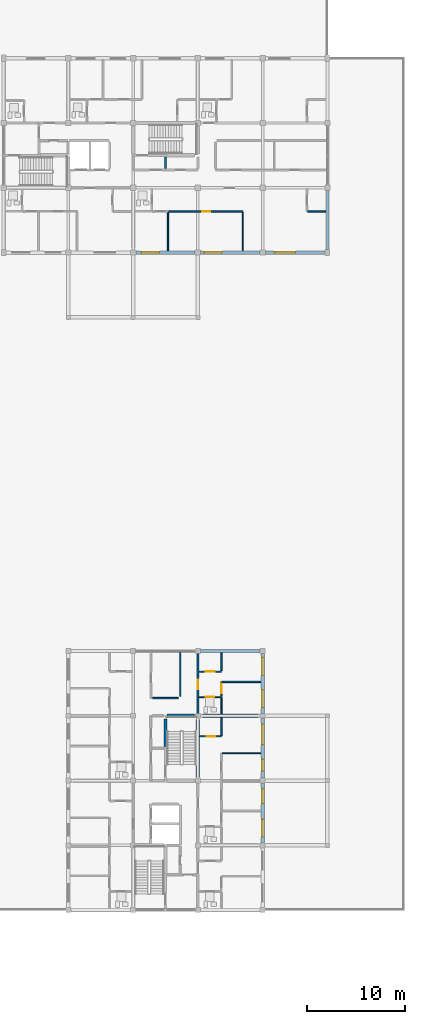
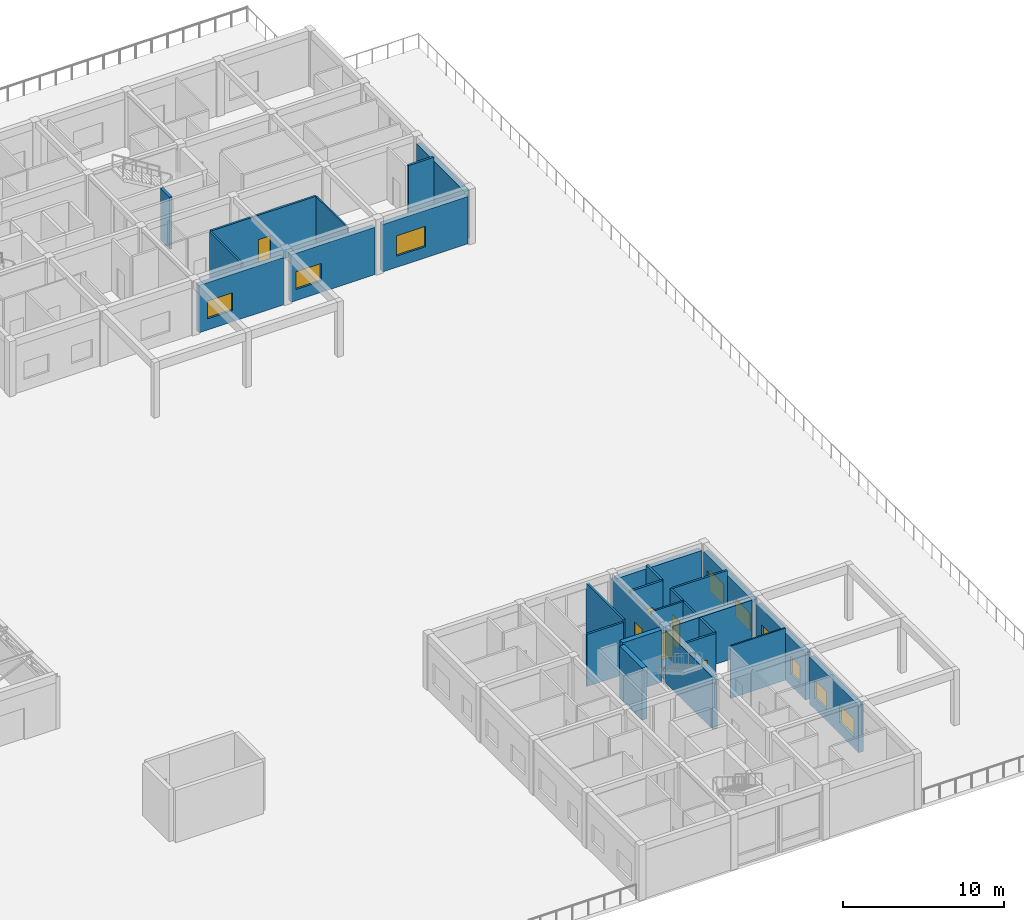
# One storey, part 78 of 92: 29 walls, 9 windows, 6 doors, 15 openings.
"""IFC4 building model written with IfcOpenShell, lengths in metres."""

from ifc_helpers import new_model, si_unit, direction, frame, frame_2d, origin, place, context, subcontext, project, spatial, rectangle, extrude, material, layer, layer_set, type_object, element, fill, save


model = new_model("IFC4")

# Units and contexts
model_context = context("Model", 3, precision=1e-05, world=origin(), true_north=direction((0.0, 1.0)))
body_context = subcontext(model_context, "Body", "Model", "MODEL_VIEW")
ifc_project = project(units=[si_unit("LENGTHUNIT", "METRE"), si_unit("AREAUNIT", "SQUARE_METRE"), si_unit("VOLUMEUNIT", "CUBIC_METRE"), si_unit("PLANEANGLEUNIT", "RADIAN"), si_unit("MASSUNIT", "GRAM", prefix="KILO")], contexts=[model_context])

# Site, building, storey
site_placement = place(None, origin())
site = spatial("IfcSite", under=ifc_project, at=site_placement, CompositionType="ELEMENT")
building_placement = place(site_placement, origin())
building = spatial("IfcBuilding", under=site, at=building_placement, Name="Kernevlak Ridge Housing Community", CompositionType="ELEMENT")
storey_placement = place(building_placement, frame((0.0, 0.0, 4.199951171875)))
storey = spatial("IfcBuildingStorey", under=building, at=storey_placement, Name="L01", CompositionType="ELEMENT", Elevation=4.199951171875)

# Wall, opening, window
ifc_material_1 = material(Name="Concrete block masonry M10", Category="masonry")
ifc_layer_1 = layer(ifc_material_1, 0.340087890625, Name="Concrete block masonry M10")
ifc_layer_set_1 = layer_set([ifc_layer_1], Name="Concrete block masonry M10")
wall_type_1 = type_object("IfcWallType", Name="EW-04", PredefinedType="STANDARD", material=ifc_layer_set_1)
wall_1_placement = place(storey_placement, frame((132.875, 82.60009765625, 0.0), z_axis=(0.0, 0.0, 1.0), x_axis=(1.0, 0.0, 0.0)))
wall_1 = element("IfcWall", 1, at=wall_1_placement, inside=storey, type_object=wall_type_1, Name="Exterior wall EW-04 L01 311", PredefinedType="STANDARD", context=body_context, shape_type="SweptSolid", body=[
    extrude(rectangle(XDim=6.050048828125, YDim=0.340087890625, at=frame_2d((3.02490234375, 0.0))), origin(), (0.0, 0.0, 1.0), 3.60009765625),
])
opening_1_placement = place(wall_1_placement, frame((0.60009765625, 0.0, 0.85009765625)))
opening_1 = element("IfcOpeningElement", 2, at=opening_1_placement, cuts=wall_1, Name="Opening WT-03", PredefinedType="OPENING", context=body_context, shape_type="SweptSolid", body=[
    extrude(rectangle(XDim=1.800048828125, YDim=1.35009765625, at=frame_2d((0.89990234375, 0.675048828125))), frame((0.0, 0.179931640625, 0.0), z_axis=(0.0, -1.0, 0.0), x_axis=(1.0, 0.0, 0.0)), (0.0, 0.0, 1.0), 0.360107421875),
])
ifc_material_2 = material(Name="Aluminium EN AW-6060 anodised and laminated glass", Category="aluminium")
window_type_1 = type_object("IfcWindowType", Name="WT-03", PartitioningType="SINGLE_PANEL", PredefinedType="WINDOW", material=ifc_material_2)
window_1_placement = place(opening_1_placement, origin())
window_1 = element("IfcWindow", 3, at=window_1_placement, inside=storey, type_object=window_type_1, Name="Window WT-03 L01 239", OverallHeight=1.35009765625, OverallWidth=1.800048828125, PartitioningType="SINGLE_PANEL", PredefinedType="WINDOW", context=body_context, shape_type="SweptSolid", body=[
    extrude(rectangle(XDim=1.800048828125, YDim=1.35009765625, at=frame_2d((0.89990234375, 0.675048828125))), frame((0.0, 0.030029296875, 0.0), z_axis=(0.0, -1.0, 0.0), x_axis=(1.0, 0.0, 0.0)), (0.0, 0.0, 1.0), 0.06005859375),
])
fill(opening_1, window_1)

wall_2_placement = place(storey_placement, frame((139.47509765625, 82.60009765625, 0.0), z_axis=(0.0, 0.0, 1.0), x_axis=(1.0, 0.0, 0.0)))
wall_2 = element("IfcWall", 4, at=wall_2_placement, inside=storey, type_object=wall_type_1, Name="Exterior wall EW-04 L01 312", PredefinedType="STANDARD", context=body_context, shape_type="SweptSolid", body=[
    extrude(rectangle(XDim=6.0498046875, YDim=0.340087890625, at=frame_2d((3.02490234375, 0.0))), origin(), (0.0, 0.0, 1.0), 3.60009765625),
])
opening_2_placement = place(wall_2_placement, frame((0.375, 0.0, 0.85009765625)))
opening_2 = element("IfcOpeningElement", 5, at=opening_2_placement, cuts=wall_2, Name="Opening WT-03", PredefinedType="OPENING", context=body_context, shape_type="SweptSolid", body=[
    extrude(rectangle(XDim=1.800048828125, YDim=1.35009765625, at=frame_2d((0.89990234375, 0.675048828125))), frame((0.0, 0.179931640625, 0.0), z_axis=(0.0, -1.0, 0.0), x_axis=(1.0, 0.0, 0.0)), (0.0, 0.0, 1.0), 0.360107421875),
])
window_2_placement = place(opening_2_placement, origin())
window_2 = element("IfcWindow", 6, at=window_2_placement, inside=storey, type_object=window_type_1, Name="Window WT-03 L01 240", OverallHeight=1.35009765625, OverallWidth=1.800048828125, PartitioningType="SINGLE_PANEL", PredefinedType="WINDOW", context=body_context, shape_type="SweptSolid", body=[
    extrude(rectangle(XDim=1.800048828125, YDim=1.35009765625, at=frame_2d((0.89990234375, 0.675048828125))), frame((0.0, 0.030029296875, 0.0), z_axis=(0.0, -1.0, 0.0), x_axis=(1.0, 0.0, 0.0)), (0.0, 0.0, 1.0), 0.06005859375),
])
fill(opening_2, window_2)

wall_3_placement = place(storey_placement, frame((146.074951171875, 82.60009765625, 0.0), z_axis=(0.0, 0.0, 1.0), x_axis=(1.0, 0.0, 0.0)))
wall_3 = element("IfcWall", 7, at=wall_3_placement, inside=storey, type_object=wall_type_1, Name="Exterior wall EW-04 L01 313", PredefinedType="STANDARD", context=body_context, shape_type="SweptSolid", body=[
    extrude(rectangle(XDim=6.10009765625, YDim=0.340087890625, at=frame_2d((3.050048828125, 0.0))), origin(), (0.0, 0.0, 1.0), 3.60009765625),
])
opening_3_placement = place(wall_3_placement, frame((0.968994140625, 0.0, 0.85009765625)))
opening_3 = element("IfcOpeningElement", 8, at=opening_3_placement, cuts=wall_3, Name="Opening WT-05", PredefinedType="OPENING", context=body_context, shape_type="SweptSolid", body=[
    extrude(rectangle(XDim=2.10009765625, YDim=1.550048828125, at=frame_2d((1.050048828125, 0.77490234375))), frame((0.0, 0.179931640625, 0.0), z_axis=(0.0, -1.0, 0.0), x_axis=(1.0, 0.0, 0.0)), (0.0, 0.0, 1.0), 0.360107421875),
])
window_type_2 = type_object("IfcWindowType", Name="WT-05", PartitioningType="SINGLE_PANEL", PredefinedType="WINDOW", material=ifc_material_2)
window_3_placement = place(opening_3_placement, origin())
window_3 = element("IfcWindow", 9, at=window_3_placement, inside=storey, type_object=window_type_2, Name="Window WT-05 L01 241", OverallHeight=1.550048828125, OverallWidth=2.10009765625, PartitioningType="SINGLE_PANEL", PredefinedType="WINDOW", context=body_context, shape_type="SweptSolid", body=[
    extrude(rectangle(XDim=2.10009765625, YDim=1.550048828125, at=frame_2d((1.050048828125, 0.77490234375))), frame((0.0, 0.030029296875, 0.0), z_axis=(0.0, -1.0, 0.0), x_axis=(1.0, 0.0, 0.0)), (0.0, 0.0, 1.0), 0.06005859375),
])
fill(opening_3, window_3)

# Wall
wall_4_placement = place(storey_placement, frame((152.39990234375, 82.925048828125, 0.0), z_axis=(0.0, 0.0, 1.0), x_axis=(0.0, 1.0, 0.0)))
element("IfcWall", 10, at=wall_4_placement, inside=storey, type_object=wall_type_1, Name="Exterior wall EW-04 L01 321", PredefinedType="STANDARD", context=body_context, shape_type="SweptSolid", body=[
    extrude(rectangle(XDim=6.0, YDim=0.340087890625, at=frame_2d((3.0, 0.0))), origin(), (0.0, 0.0, 1.0), 3.650146484375),
])

# Wall, openings, windows
wall_5_placement = place(storey_placement, frame((145.800048828125, 22.449951171875, 0.0), z_axis=(0.0, 0.0, 1.0), x_axis=(0.0, 1.0, 0.0)))
wall_5 = element("IfcWall", 11, at=wall_5_placement, inside=storey, type_object=wall_type_1, Name="Exterior wall EW-04 L01 551", PredefinedType="STANDARD", context=body_context, shape_type="SweptSolid", body=[
    extrude(rectangle(XDim=6.10009765625, YDim=0.340087890625, at=frame_2d((3.050048828125, 0.0))), origin(), (0.0, 0.0, 1.0), 3.60009765625),
])
opening_4_placement = place(wall_5_placement, frame((0.60009765625, 0.0, 0.85009765625)))
opening_4 = element("IfcOpeningElement", 12, at=opening_4_placement, cuts=wall_5, Name="Opening WT-03", PredefinedType="OPENING", context=body_context, shape_type="SweptSolid", body=[
    extrude(rectangle(XDim=1.800048828125, YDim=1.35009765625, at=frame_2d((0.89990234375, 0.675048828125))), frame((0.0, 0.179931640625, 0.0), z_axis=(0.0, -1.0, 0.0), x_axis=(1.0, 0.0, 0.0)), (0.0, 0.0, 1.0), 0.360107421875),
])
opening_5_placement = place(wall_5_placement, frame((4.0, 0.0, 0.85009765625)))
opening_5 = element("IfcOpeningElement", 13, at=opening_5_placement, cuts=wall_5, Name="Opening WT-02", PredefinedType="OPENING", context=body_context, shape_type="SweptSolid", body=[
    extrude(rectangle(XDim=1.5, YDim=1.35009765625, at=frame_2d((0.75, 0.675048828125))), frame((0.0, 0.179931640625, 0.0), z_axis=(0.0, -1.0, 0.0), x_axis=(1.0, 0.0, 0.0)), (0.0, 0.0, 1.0), 0.360107421875),
])
window_type_3 = type_object("IfcWindowType", Name="WT-02", PartitioningType="SINGLE_PANEL", PredefinedType="WINDOW", material=ifc_material_2)
window_4_placement = place(opening_5_placement, origin())
window_4 = element("IfcWindow", 14, at=window_4_placement, inside=storey, type_object=window_type_3, Name="Window WT-02 L01 438", OverallHeight=1.35009765625, OverallWidth=1.5, PartitioningType="SINGLE_PANEL", PredefinedType="WINDOW", context=body_context, shape_type="SweptSolid", body=[
    extrude(rectangle(XDim=1.5, YDim=1.35009765625, at=frame_2d((0.75, 0.675048828125))), frame((0.0, 0.030029296875, 0.0), z_axis=(0.0, -1.0, 0.0), x_axis=(1.0, 0.0, 0.0)), (0.0, 0.0, 1.0), 0.06005859375),
])
fill(opening_5, window_4)
window_5_placement = place(opening_4_placement, origin())
window_5 = element("IfcWindow", 15, at=window_5_placement, inside=storey, type_object=window_type_1, Name="Window WT-03 L01 437", OverallHeight=1.35009765625, OverallWidth=1.800048828125, PartitioningType="SINGLE_PANEL", PredefinedType="WINDOW", context=body_context, shape_type="SweptSolid", body=[
    extrude(rectangle(XDim=1.800048828125, YDim=1.35009765625, at=frame_2d((0.89990234375, 0.675048828125))), frame((0.0, 0.030029296875, 0.0), z_axis=(0.0, -1.0, 0.0), x_axis=(1.0, 0.0, 0.0)), (0.0, 0.0, 1.0), 0.06005859375),
])
fill(opening_4, window_5)

wall_6_placement = place(storey_placement, frame((145.800048828125, 29.050048828125, 0.0), z_axis=(0.0, 0.0, 1.0), x_axis=(0.0, 1.0, 0.0)))
wall_6 = element("IfcWall", 16, at=wall_6_placement, inside=storey, type_object=wall_type_1, Name="Exterior wall EW-04 L01 552", PredefinedType="STANDARD", context=body_context, shape_type="SweptSolid", body=[
    extrude(rectangle(XDim=6.099853515625, YDim=0.340087890625, at=frame_2d((3.0498046875, 0.0))), origin(), (0.0, 0.0, 1.0), 3.60009765625),
])
opening_6_placement = place(wall_6_placement, frame((0.699951171875, 0.0, 0.85009765625)))
opening_6 = element("IfcOpeningElement", 17, at=opening_6_placement, cuts=wall_6, Name="Opening WT-01", PredefinedType="OPENING", context=body_context, shape_type="SweptSolid", body=[
    extrude(rectangle(XDim=1.199951171875, YDim=1.35009765625, at=frame_2d((0.60009765625, 0.675048828125))), frame((0.0, 0.179931640625, 0.0), z_axis=(0.0, -1.0, 0.0), x_axis=(1.0, 0.0, 0.0)), (0.0, 0.0, 1.0), 0.360107421875),
])
opening_7_placement = place(wall_6_placement, frame((3.39990234375, 0.0, 0.85009765625)))
opening_7 = element("IfcOpeningElement", 18, at=opening_7_placement, cuts=wall_6, Name="Opening WT-05", PredefinedType="OPENING", context=body_context, shape_type="SweptSolid", body=[
    extrude(rectangle(XDim=2.10009765625, YDim=1.550048828125, at=frame_2d((1.050048828125, 0.77490234375))), frame((0.0, 0.179931640625, 0.0), z_axis=(0.0, -1.0, 0.0), x_axis=(1.0, 0.0, 0.0)), (0.0, 0.0, 1.0), 0.360107421875),
])
window_type_4 = type_object("IfcWindowType", Name="WT-01", PartitioningType="SINGLE_PANEL", PredefinedType="WINDOW", material=ifc_material_2)
window_6_placement = place(opening_6_placement, origin())
window_6 = element("IfcWindow", 19, at=window_6_placement, inside=storey, type_object=window_type_4, Name="Window WT-01 L01 439", OverallHeight=1.35009765625, OverallWidth=1.199951171875, PartitioningType="SINGLE_PANEL", PredefinedType="WINDOW", context=body_context, shape_type="SweptSolid", body=[
    extrude(rectangle(XDim=1.199951171875, YDim=1.35009765625, at=frame_2d((0.60009765625, 0.675048828125))), frame((0.0, 0.030029296875, 0.0), z_axis=(0.0, -1.0, 0.0), x_axis=(1.0, 0.0, 0.0)), (0.0, 0.0, 1.0), 0.06005859375),
])
fill(opening_6, window_6)
window_7_placement = place(opening_7_placement, origin())
window_7 = element("IfcWindow", 20, at=window_7_placement, inside=storey, type_object=window_type_2, Name="Window WT-05 L01 440", OverallHeight=1.550048828125, OverallWidth=2.10009765625, PartitioningType="SINGLE_PANEL", PredefinedType="WINDOW", context=body_context, shape_type="SweptSolid", body=[
    extrude(rectangle(XDim=2.10009765625, YDim=1.550048828125, at=frame_2d((1.050048828125, 0.77490234375))), frame((0.0, 0.030029296875, 0.0), z_axis=(0.0, -1.0, 0.0), x_axis=(1.0, 0.0, 0.0)), (0.0, 0.0, 1.0), 0.06005859375),
])
fill(opening_7, window_7)

wall_7_placement = place(storey_placement, frame((145.800048828125, 35.64990234375, 0.0), z_axis=(0.0, 0.0, 1.0), x_axis=(0.0, 1.0, 0.0)))
wall_7 = element("IfcWall", 21, at=wall_7_placement, inside=storey, type_object=wall_type_1, Name="Exterior wall EW-04 L01 553", PredefinedType="STANDARD", context=body_context, shape_type="SweptSolid", body=[
    extrude(rectangle(XDim=6.10009765625, YDim=0.340087890625, at=frame_2d((3.050048828125, 0.0))), origin(), (0.0, 0.0, 1.0), 3.60009765625),
])
opening_8_placement = place(wall_7_placement, frame((0.574951171875, 0.0, 0.85009765625)))
opening_8 = element("IfcOpeningElement", 22, at=opening_8_placement, cuts=wall_7, Name="Opening WT-03", PredefinedType="OPENING", context=body_context, shape_type="SweptSolid", body=[
    extrude(rectangle(XDim=1.800048828125, YDim=1.35009765625, at=frame_2d((0.89990234375, 0.675048828125))), frame((0.0, 0.179931640625, 0.0), z_axis=(0.0, -1.0, 0.0), x_axis=(1.0, 0.0, 0.0)), (0.0, 0.0, 1.0), 0.360107421875),
])
opening_9_placement = place(wall_7_placement, frame((3.875, 0.0, 0.85009765625)))
opening_9 = element("IfcOpeningElement", 23, at=opening_9_placement, cuts=wall_7, Name="Opening WT-04", PredefinedType="OPENING", context=body_context, shape_type="SweptSolid", body=[
    extrude(rectangle(XDim=1.800048828125, YDim=1.550048828125, at=frame_2d((0.89990234375, 0.77490234375))), frame((0.0, 0.179931640625, 0.0), z_axis=(0.0, -1.0, 0.0), x_axis=(1.0, 0.0, 0.0)), (0.0, 0.0, 1.0), 0.360107421875),
])
window_8_placement = place(opening_8_placement, origin())
window_8 = element("IfcWindow", 24, at=window_8_placement, inside=storey, type_object=window_type_1, Name="Window WT-03 L01 441", OverallHeight=1.35009765625, OverallWidth=1.800048828125, PartitioningType="SINGLE_PANEL", PredefinedType="WINDOW", context=body_context, shape_type="SweptSolid", body=[
    extrude(rectangle(XDim=1.800048828125, YDim=1.35009765625, at=frame_2d((0.89990234375, 0.675048828125))), frame((0.0, 0.030029296875, 0.0), z_axis=(0.0, -1.0, 0.0), x_axis=(1.0, 0.0, 0.0)), (0.0, 0.0, 1.0), 0.06005859375),
])
fill(opening_8, window_8)
window_type_5 = type_object("IfcWindowType", Name="WT-04", PartitioningType="SINGLE_PANEL", PredefinedType="WINDOW", material=ifc_material_2)
window_9_placement = place(opening_9_placement, origin())
window_9 = element("IfcWindow", 25, at=window_9_placement, inside=storey, type_object=window_type_5, Name="Window WT-04 L01 442", OverallHeight=1.550048828125, OverallWidth=1.800048828125, PartitioningType="SINGLE_PANEL", PredefinedType="WINDOW", context=body_context, shape_type="SweptSolid", body=[
    extrude(rectangle(XDim=1.800048828125, YDim=1.550048828125, at=frame_2d((0.89990234375, 0.77490234375))), frame((0.0, 0.030029296875, 0.0), z_axis=(0.0, -1.0, 0.0), x_axis=(1.0, 0.0, 0.0)), (0.0, 0.0, 1.0), 0.06005859375),
])
fill(opening_9, window_9)

# Walls
wall_8_placement = place(storey_placement, frame((139.449951171875, 42.0, 0.0), z_axis=(0.0, 0.0, 1.0), x_axis=(1.0, 0.0, 0.0)))
element("IfcWall", 26, at=wall_8_placement, inside=storey, type_object=wall_type_1, Name="Exterior wall EW-04 L01 557", PredefinedType="STANDARD", context=body_context, shape_type="SweptSolid", body=[
    extrude(rectangle(XDim=6.10009765625, YDim=0.340087890625, at=frame_2d((3.050048828125, 0.0))), origin(), (0.0, 0.0, 1.0), 3.650146484375),
])
ifc_layer_2 = layer(ifc_material_1, 0.175048828125, Name="Concrete block masonry M10")
ifc_layer_set_2 = layer_set([ifc_layer_2], Name="Concrete block masonry M10")
wall_type_2 = type_object("IfcWallType", Name="PW-02", PredefinedType="PARTITIONING", material=ifc_layer_set_2)
wall_9_placement = place(storey_placement, frame((135.89990234375, 91.179931640625, 0.0), z_axis=(0.0, 0.0, 1.0), x_axis=(0.0, 1.0, 0.0)))
element("IfcWall", 27, at=wall_9_placement, inside=storey, type_object=wall_type_2, Name="Interior wall PW-02 WAL-INT-L01-1222", PredefinedType="PARTITIONING", context=body_context, shape_type="SweptSolid", body=[
    extrude(rectangle(XDim=1.14013671875, YDim=0.175048828125, at=frame_2d((0.570068359375, 0.0))), origin(), (0.0, 0.0, 1.0), 3.9599609375),
])

# Wall, opening, door
wall_10_placement = place(storey_placement, frame((139.199951171875, 35.39990234375, 0.0), z_axis=(0.0, 0.0, 1.0), x_axis=(0.0, 1.0, 0.0)))
wall_10 = element("IfcWall", 28, at=wall_10_placement, inside=storey, type_object=wall_type_2, Name="Interior wall PW-02 WAL-INT-L01-2222", PredefinedType="PARTITIONING", context=body_context, shape_type="SweptSolid", body=[
    extrude(rectangle(XDim=6.60009765625, YDim=0.175048828125, at=frame_2d((3.300048828125, 0.0))), origin(), (0.0, 0.0, 1.0), 3.699951171875),
])
opening_10_placement = place(wall_10_placement, frame((2.72509765625, 0.0, 0.0)))
opening_10 = element("IfcOpeningElement", 29, at=opening_10_placement, cuts=wall_10, Name="Opening E126", PredefinedType="OPENING", context=body_context, shape_type="SweptSolid", body=[
    extrude(rectangle(XDim=0.9599609375, YDim=2.179931640625, at=frame_2d((0.47998046875, 1.08984375))), frame((0.0, 0.097412109375, 0.0), z_axis=(0.0, -1.0, 0.0), x_axis=(1.0, 0.0, 0.0)), (0.0, 0.0, 1.0), 0.195068359375),
])
ifc_material_3 = material(Name="Hardwood timber solid-core fire leaf", Category="wood")
door_type_1 = type_object("IfcDoorType", Name="DT-29", OperationType="NOTDEFINED", PredefinedType="DOOR", material=ifc_material_3)
door_1_placement = place(opening_10_placement, origin())
door_1 = element("IfcDoor", 30, at=door_1_placement, inside=storey, type_object=door_type_1, Name="Flat C0123 entrance fire door E126", OperationType="SINGLE_SWING_LEFT", OverallHeight=2.179931640625, OverallWidth=0.9599609375, PredefinedType="DOOR", context=body_context, shape_type="SweptSolid", body=[
    extrude(rectangle(XDim=0.9599609375, YDim=2.179931640625, at=frame_2d((0.47998046875, 1.08984375))), frame((0.0, 0.02490234375, 0.0), z_axis=(0.0, -1.0, 0.0), x_axis=(1.0, 0.0, 0.0)), (0.0, 0.0, 1.0), 0.050048828125),
])
fill(opening_10, door_1)

# Wall
ifc_layer_3 = layer(ifc_material_1, 0.14501953125, Name="Concrete block masonry M10")
ifc_layer_set_3 = layer_set([ifc_layer_3], Name="Concrete block masonry M10")
wall_type_3 = type_object("IfcWallType", Name="PW-03", PredefinedType="PARTITIONING", material=ifc_layer_set_3)
wall_11_placement = place(storey_placement, frame((136.14990234375, 86.717529296875, 0.0), z_axis=(0.0, 0.0, 1.0), x_axis=(0.0, -1.0, 0.0)))
element("IfcWall", 31, at=wall_11_placement, inside=storey, type_object=wall_type_3, Name="Interior wall PW-03 WAL-INT-L01-1244", PredefinedType="PARTITIONING", context=body_context, shape_type="SweptSolid", body=[
    extrude(rectangle(XDim=3.9375, YDim=0.14501953125, at=frame_2d((1.96875, 0.0))), origin(), (0.0, 0.0, 1.0), 3.9599609375),
])

# Wall, opening, door
wall_12_placement = place(storey_placement, frame((136.232421875, 86.800048828125, 0.0), z_axis=(0.0, 0.0, 1.0), x_axis=(1.0, 0.0, 0.0)))
wall_12 = element("IfcWall", 32, at=wall_12_placement, inside=storey, type_object=wall_type_3, Name="Interior wall PW-03 WAL-INT-L01-1245", PredefinedType="PARTITIONING", context=body_context, shape_type="SweptSolid", body=[
    extrude(rectangle(XDim=7.5556640625, YDim=0.14501953125, at=frame_2d((3.77783203125, 0.0))), origin(), (0.0, 0.0, 1.0), 3.9599609375),
])
opening_11_placement = place(wall_12_placement, frame((3.39404296875, 0.0, 0.0)))
opening_11 = element("IfcOpeningElement", 33, at=opening_11_placement, cuts=wall_12, Name="Opening D629", PredefinedType="OPENING", context=body_context, shape_type="SweptSolid", body=[
    extrude(rectangle(XDim=0.85009765625, YDim=2.10009765625, at=frame_2d((0.425048828125, 1.050048828125))), frame((0.0, 0.08251953125, 0.0), z_axis=(0.0, -1.0, 0.0), x_axis=(1.0, 0.0, 0.0)), (0.0, 0.0, 1.0), 0.1650390625),
])
ifc_material_4 = material(Name="Hardwood timber leaf", Category="wood")
door_type_2 = type_object("IfcDoorType", Name="DT-03", OperationType="NOTDEFINED", PredefinedType="DOOR", material=ifc_material_4)
door_2_placement = place(opening_11_placement, origin())
door_2 = element("IfcDoor", 34, at=door_2_placement, inside=storey, type_object=door_type_2, Name="Flat B0112 bedroom door D629", OperationType="SINGLE_SWING_LEFT", OverallHeight=2.10009765625, OverallWidth=0.85009765625, PredefinedType="DOOR", context=body_context, shape_type="SweptSolid", body=[
    extrude(rectangle(XDim=0.85009765625, YDim=2.10009765625, at=frame_2d((0.425048828125, 1.050048828125))), frame((0.0, 0.02490234375, 0.0), z_axis=(0.0, -1.0, 0.0), x_axis=(1.0, 0.0, 0.0)), (0.0, 0.0, 1.0), 0.050048828125),
])
fill(opening_11, door_2)

# Walls
wall_13_placement = place(storey_placement, frame((137.39990234375, 37.3798828125, 0.0), z_axis=(0.0, 0.0, 1.0), x_axis=(0.0, 1.0, 0.0)))
element("IfcWall", 35, at=wall_13_placement, inside=storey, type_object=wall_type_3, Name="Interior wall PW-03 WAL-INT-L01-2179", PredefinedType="PARTITIONING", context=body_context, shape_type="SweptSolid", body=[
    extrude(rectangle(XDim=4.60009765625, YDim=0.14501953125, at=frame_2d((2.300048828125, 0.0))), origin(), (0.0, 0.0, 1.0), 3.9599609375),
])
wall_14_placement = place(storey_placement, frame((134.580078125, 37.199951171875, 0.0), z_axis=(0.0, 0.0, 1.0), x_axis=(1.0, 0.0, 0.0)))
element("IfcWall", 36, at=wall_14_placement, inside=storey, type_object=wall_type_3, Name="Interior wall PW-03 WAL-INT-L01-2180", PredefinedType="PARTITIONING", context=body_context, shape_type="SweptSolid", body=[
    extrude(rectangle(XDim=2.639892578125, YDim=0.14501953125, at=frame_2d((1.31982421875, 0.0))), origin(), (0.0, 0.0, 1.0), 3.9599609375),
])

# Wall, opening, door
wall_15_placement = place(storey_placement, frame((141.60009765625, 37.37255859375, 0.0), z_axis=(0.0, 0.0, 1.0), x_axis=(0.0, 1.0, 0.0)))
wall_15 = element("IfcWall", 37, at=wall_15_placement, inside=storey, type_object=wall_type_3, Name="Interior wall PW-03 WAL-INT-L01-2227", PredefinedType="PARTITIONING", context=body_context, shape_type="SweptSolid", body=[
    extrude(rectangle(XDim=1.4775390625, YDim=0.14501953125, at=frame_2d((0.73876953125, 0.0))), origin(), (0.0, 0.0, 1.0), 3.9599609375),
])
opening_12_placement = place(wall_15_placement, frame((0.327392578125, 0.0, 0.0)))
opening_12 = element("IfcOpeningElement", 38, at=opening_12_placement, cuts=wall_15, Name="Opening E129", PredefinedType="OPENING", context=body_context, shape_type="SweptSolid", body=[
    extrude(rectangle(XDim=0.97998046875, YDim=2.1201171875, at=frame_2d((0.489990234375, 1.06005859375))), frame((0.0, 0.08251953125, 0.0), z_axis=(0.0, -1.0, 0.0), x_axis=(1.0, 0.0, 0.0)), (0.0, 0.0, 1.0), 0.1650390625),
])
door_type_3 = type_object("IfcDoorType", Name="DT-24", OperationType="NOTDEFINED", PredefinedType="DOOR", material=ifc_material_4)
door_3_placement = place(opening_12_placement, origin())
door_3 = element("IfcDoor", 39, at=door_3_placement, inside=storey, type_object=door_type_3, Name="Flat C0123 bedroom door E129", OperationType="SINGLE_SWING_RIGHT", OverallHeight=2.1201171875, OverallWidth=0.97998046875, PredefinedType="DOOR", context=body_context, shape_type="SweptSolid", body=[
    extrude(rectangle(XDim=0.97998046875, YDim=2.1201171875, at=frame_2d((0.489990234375, 1.06005859375))), frame((0.0, 0.02490234375, 0.0), z_axis=(0.0, -1.0, 0.0), x_axis=(1.0, 0.0, 0.0)), (0.0, 0.0, 1.0), 0.050048828125),
])
fill(opening_12, door_3)

# Wall
wall_16_placement = place(storey_placement, frame((141.6826171875, 38.85009765625, 0.0), z_axis=(0.0, 0.0, 1.0), x_axis=(1.0, 0.0, 0.0)))
element("IfcWall", 40, at=wall_16_placement, inside=storey, type_object=wall_type_3, Name="Interior wall PW-03 WAL-INT-L01-2228", PredefinedType="PARTITIONING", context=body_context, shape_type="SweptSolid", body=[
    extrude(rectangle(XDim=3.9375, YDim=0.14501953125, at=frame_2d((1.96875, 0.0))), origin(), (0.0, 0.0, 1.0), 3.9599609375),
])

# Wall, opening, door
ifc_material_5 = material(Name="Gypsum plasterboard EN 520", Category="gypsum")
ifc_layer_4 = layer(ifc_material_5, 0.125, Name="Gypsum plasterboard EN 520")
ifc_layer_set_4 = layer_set([ifc_layer_4], Name="Gypsum plasterboard EN 520")
wall_type_4 = type_object("IfcWallType", Name="PW-04", PredefinedType="PARTITIONING", material=ifc_layer_set_4)
wall_17_placement = place(storey_placement, frame((139.297607421875, 37.300048828125, 0.0), z_axis=(0.0, 0.0, 1.0), x_axis=(1.0, 0.0, 0.0)))
wall_17 = element("IfcWall", 41, at=wall_17_placement, inside=storey, type_object=wall_type_4, Name="Interior wall PW-04 WAL-INT-L01-2223", PredefinedType="PARTITIONING", context=body_context, shape_type="SweptSolid", body=[
    extrude(rectangle(XDim=2.302490234375, YDim=0.125, at=frame_2d((1.1513671875, 0.0))), origin(), (0.0, 0.0, 1.0), 3.9599609375),
])
opening_13_placement = place(wall_17_placement, frame((0.699951171875, 0.0, 0.0)))
opening_13 = element("IfcOpeningElement", 42, at=opening_13_placement, cuts=wall_17, Name="Opening E127", PredefinedType="OPENING", context=body_context, shape_type="SweptSolid", body=[
    extrude(rectangle(XDim=0.85009765625, YDim=2.0400390625, at=frame_2d((0.425048828125, 1.02001953125))), frame((0.0, 0.072509765625, 0.0), z_axis=(0.0, -1.0, 0.0), x_axis=(1.0, 0.0, 0.0)), (0.0, 0.0, 1.0), 0.14501953125),
])
ifc_material_6 = material(Name="Hardwood timber moisture-resistant leaf", Category="wood")
door_type_4 = type_object("IfcDoorType", Name="DT-04", OperationType="NOTDEFINED", PredefinedType="DOOR", material=ifc_material_6)
door_4_placement = place(opening_13_placement, origin())
door_4 = element("IfcDoor", 43, at=door_4_placement, inside=storey, type_object=door_type_4, Name="Flat C0123 bathroom door E127", OperationType="SINGLE_SWING_RIGHT", OverallHeight=2.0400390625, OverallWidth=0.85009765625, PredefinedType="DOOR", context=body_context, shape_type="SweptSolid", body=[
    extrude(rectangle(XDim=0.85009765625, YDim=2.0400390625, at=frame_2d((0.425048828125, 1.02001953125))), frame((0.0, 0.02490234375, 0.0), z_axis=(0.0, -1.0, 0.0), x_axis=(1.0, 0.0, 0.0)), (0.0, 0.0, 1.0), 0.050048828125),
])
fill(opening_13, door_4)

# Walls
wall_18_placement = place(storey_placement, frame((141.60009765625, 35.5849609375, 0.0), z_axis=(0.0, 0.0, 1.0), x_axis=(0.0, 1.0, 0.0)))
element("IfcWall", 44, at=wall_18_placement, inside=storey, type_object=wall_type_4, Name="Interior wall PW-04 WAL-INT-L01-2224", PredefinedType="PARTITIONING", context=body_context, shape_type="SweptSolid", body=[
    extrude(rectangle(XDim=1.635009765625, YDim=0.125, at=frame_2d((0.8173828125, 0.0))), origin(), (0.0, 0.0, 1.0), 3.9599609375),
])
ifc_layer_5 = layer(ifc_material_5, 0.155029296875, Name="Gypsum plasterboard EN 520")
ifc_layer_set_5 = layer_set([ifc_layer_5], Name="Gypsum plasterboard EN 520")
wall_type_5 = type_object("IfcWallType", Name="PW-05", PredefinedType="PARTITIONING", material=ifc_layer_set_5)
wall_19_placement = place(storey_placement, frame((150.387451171875, 86.800048828125, 0.0), z_axis=(0.0, 0.0, 1.0), x_axis=(1.0, 0.0, 0.0)))
element("IfcWall", 45, at=wall_19_placement, inside=storey, type_object=wall_type_5, Name="Interior wall PW-05 WAL-INT-L01-1242", PredefinedType="PARTITIONING", context=body_context, shape_type="SweptSolid", body=[
    extrude(rectangle(XDim=1.83251953125, YDim=0.155029296875, at=frame_2d((0.916259765625, 0.0))), origin(), (0.0, 0.0, 1.0), 3.9599609375),
])

# Wall, opening, door
wall_20_placement = place(storey_placement, frame((139.385009765625, 33.300048828125, 0.0), z_axis=(0.0, 0.0, 1.0), x_axis=(1.0, 0.0, 0.0)))
wall_20 = element("IfcWall", 46, at=wall_20_placement, inside=storey, type_object=wall_type_5, Name="Interior wall PW-05 WAL-INT-L01-2214", PredefinedType="PARTITIONING", context=body_context, shape_type="SweptSolid", body=[
    extrude(rectangle(XDim=2.215087890625, YDim=0.155029296875, at=frame_2d((1.107421875, 0.0))), origin(), (0.0, 0.0, 1.0), 3.9599609375),
])
opening_14_placement = place(wall_20_placement, frame((0.699951171875, 0.0, 0.0)))
opening_14 = element("IfcOpeningElement", 47, at=opening_14_placement, cuts=wall_20, Name="Opening E122", PredefinedType="OPENING", context=body_context, shape_type="SweptSolid", body=[
    extrude(rectangle(XDim=0.8798828125, YDim=2.159912109375, at=frame_2d((0.43994140625, 1.080078125))), frame((0.0, 0.08740234375, 0.0), z_axis=(0.0, -1.0, 0.0), x_axis=(1.0, 0.0, 0.0)), (0.0, 0.0, 1.0), 0.175048828125),
])
door_type_5 = type_object("IfcDoorType", Name="DT-26", OperationType="NOTDEFINED", PredefinedType="DOOR", material=ifc_material_4)
door_5_placement = place(opening_14_placement, origin())
door_5 = element("IfcDoor", 48, at=door_5_placement, inside=storey, type_object=door_type_5, Name="Flat C0122 kitchen door E122", OperationType="SINGLE_SWING_LEFT", OverallHeight=2.159912109375, OverallWidth=0.8798828125, PredefinedType="DOOR", context=body_context, shape_type="SweptSolid", body=[
    extrude(rectangle(XDim=0.8798828125, YDim=2.159912109375, at=frame_2d((0.43994140625, 1.080078125))), frame((0.0, 0.02490234375, 0.0), z_axis=(0.0, -1.0, 0.0), x_axis=(1.0, 0.0, 0.0)), (0.0, 0.0, 1.0), 0.050048828125),
])
fill(opening_14, door_5)

# Wall
wall_21_placement = place(storey_placement, frame((141.60009765625, 33.387451171875, 0.0), z_axis=(0.0, 0.0, 1.0), x_axis=(0.0, 1.0, 0.0)))
element("IfcWall", 49, at=wall_21_placement, inside=storey, type_object=wall_type_5, Name="Interior wall PW-05 WAL-INT-L01-2215", PredefinedType="PARTITIONING", context=body_context, shape_type="SweptSolid", body=[
    extrude(rectangle(XDim=1.82763671875, YDim=0.155029296875, at=frame_2d((0.913818359375, 0.0))), origin(), (0.0, 0.0, 1.0), 3.9599609375),
])

# Wall, opening, door
wall_22_placement = place(storey_placement, frame((139.297607421875, 39.89990234375, 0.0), z_axis=(0.0, 0.0, 1.0), x_axis=(1.0, 0.0, 0.0)))
wall_22 = element("IfcWall", 50, at=wall_22_placement, inside=storey, type_object=wall_type_5, Name="Interior wall PW-05 WAL-INT-L01-2225", PredefinedType="PARTITIONING", context=body_context, shape_type="SweptSolid", body=[
    extrude(rectangle(XDim=2.302490234375, YDim=0.155029296875, at=frame_2d((1.1513671875, 0.0))), origin(), (0.0, 0.0, 1.0), 3.9599609375),
])
opening_15_placement = place(wall_22_placement, frame((0.699951171875, 0.0, 0.0)))
opening_15 = element("IfcOpeningElement", 51, at=opening_15_placement, cuts=wall_22, Name="Opening E128", PredefinedType="OPENING", context=body_context, shape_type="SweptSolid", body=[
    extrude(rectangle(XDim=0.89990234375, YDim=2.159912109375, at=frame_2d((0.449951171875, 1.080078125))), frame((0.0, 0.08740234375, 0.0), z_axis=(0.0, -1.0, 0.0), x_axis=(1.0, 0.0, 0.0)), (0.0, 0.0, 1.0), 0.175048828125),
])
door_type_6 = type_object("IfcDoorType", Name="DT-22", OperationType="NOTDEFINED", PredefinedType="DOOR", material=ifc_material_4)
door_6_placement = place(opening_15_placement, origin())
door_6 = element("IfcDoor", 52, at=door_6_placement, inside=storey, type_object=door_type_6, Name="Flat C0123 kitchen door E128", OperationType="SINGLE_SWING_LEFT", OverallHeight=2.159912109375, OverallWidth=0.89990234375, PredefinedType="DOOR", context=body_context, shape_type="SweptSolid", body=[
    extrude(rectangle(XDim=0.89990234375, YDim=2.159912109375, at=frame_2d((0.449951171875, 1.080078125))), frame((0.0, 0.02490234375, 0.0), z_axis=(0.0, -1.0, 0.0), x_axis=(1.0, 0.0, 0.0)), (0.0, 0.0, 1.0), 0.050048828125),
])
fill(opening_15, door_6)

# Walls
wall_23_placement = place(storey_placement, frame((141.60009765625, 39.987548828125, 0.0), z_axis=(0.0, 0.0, 1.0), x_axis=(0.0, 1.0, 0.0)))
element("IfcWall", 53, at=wall_23_placement, inside=storey, type_object=wall_type_5, Name="Interior wall PW-05 WAL-INT-L01-2226", PredefinedType="PARTITIONING", context=body_context, shape_type="SweptSolid", body=[
    extrude(rectangle(XDim=1.83251953125, YDim=0.155029296875, at=frame_2d((0.916259765625, 0.0))), origin(), (0.0, 0.0, 1.0), 3.9599609375),
])
ifc_layer_6 = layer(ifc_material_5, 0.10498046875, Name="Gypsum plasterboard EN 520")
ifc_layer_set_6 = layer_set([ifc_layer_6], Name="Gypsum plasterboard EN 520")
wall_type_6 = type_object("IfcWallType", Name="PW-06", PredefinedType="PARTITIONING", material=ifc_layer_set_6)
for number, where, z_axis, x_axis, name in (
    (54, (143.7880859375, 86.717529296875, 0.0), (0.0, 0.0, 1.0), (0.0, -1.0, 0.0), "Interior wall PW-06 WAL-INT-L01-1246"),
    (55, (141.6826171875, 31.60009765625, 0.0), (0.0, 0.0, 1.0), (1.0, 0.0, 0.0), "Interior wall PW-06 WAL-INT-L01-2221"),
):
    element("IfcWall", number, at=place(storey_placement, frame(where, z_axis=z_axis, x_axis=x_axis)), inside=storey, type_object=wall_type_6, Name=name, PredefinedType="PARTITIONING", context=body_context, shape_type="SweptSolid", body=[
        extrude(rectangle(XDim=3.9375, YDim=0.10498046875, at=frame_2d((1.96875, 0.0))), origin(), (0.0, 0.0, 1.0), 3.9599609375),
    ])
ifc_material_7 = material(Name="Concrete C40/50", Category="concrete")
ifc_layer_7 = layer(ifc_material_7, 0.35009765625, Name="Concrete C40/50")
ifc_layer_set_7 = layer_set([ifc_layer_7], Name="Concrete C40/50")
wall_type_7 = type_object("IfcWallType", Name="SW-01", PredefinedType="SHEAR", material=ifc_layer_set_7)
wall_24_placement = place(storey_placement, frame((139.199951171875, 29.179931640625, 0.0), z_axis=(0.0, 0.0, 1.0), x_axis=(0.0, 1.0, 0.0)))
element("IfcWall", 56, at=wall_24_placement, inside=storey, type_object=wall_type_7, Name="Shear wall SW-01 Block C L01 384", PredefinedType="SHEAR", context=body_context, shape_type="SweptSolid", body=[
    extrude(rectangle(XDim=5.840087890625, YDim=0.35009765625, at=frame_2d((2.919921875, 0.0))), origin(), (0.0, 0.0, 1.0), 3.9599609375),
])
for number, where, z_axis, x_axis, name in (
    (57, (135.89990234375, 32.25, 0.0), (0.0, 0.0, 1.0), (0.0, 1.0, 0.0), "Shear wall SW-01 Block C L01 385"),
    (58, (136.050048828125, 35.39990234375, 0.0), (0.0, 0.0, 1.0), (1.0, 0.0, 0.0), "Shear wall SW-01 Block C L01 387"),
):
    element("IfcWall", number, at=place(storey_placement, frame(where, z_axis=z_axis, x_axis=x_axis)), inside=storey, type_object=wall_type_7, Name=name, PredefinedType="SHEAR", context=body_context, shape_type="SweptSolid", body=[
        extrude(rectangle(XDim=2.800048828125, YDim=0.35009765625, at=frame_2d((1.39990234375, 0.0))), origin(), (0.0, 0.0, 1.0), 3.9599609375),
    ])
wall_25_placement = place(storey_placement, frame((139.64990234375, 35.39990234375, 0.0), z_axis=(0.0, 0.0, 1.0), x_axis=(1.0, 0.0, 0.0)))
element("IfcWall", 59, at=wall_25_placement, inside=storey, type_object=wall_type_7, Name="Shear wall SW-01 Block C L01 390", PredefinedType="SHEAR", context=body_context, shape_type="SweptSolid", body=[
    extrude(rectangle(XDim=5.7001953125, YDim=0.35009765625, at=frame_2d((2.85009765625, 0.0))), origin(), (0.0, 0.0, 1.0), 3.9599609375),
])

save(model, "model.ifc")
